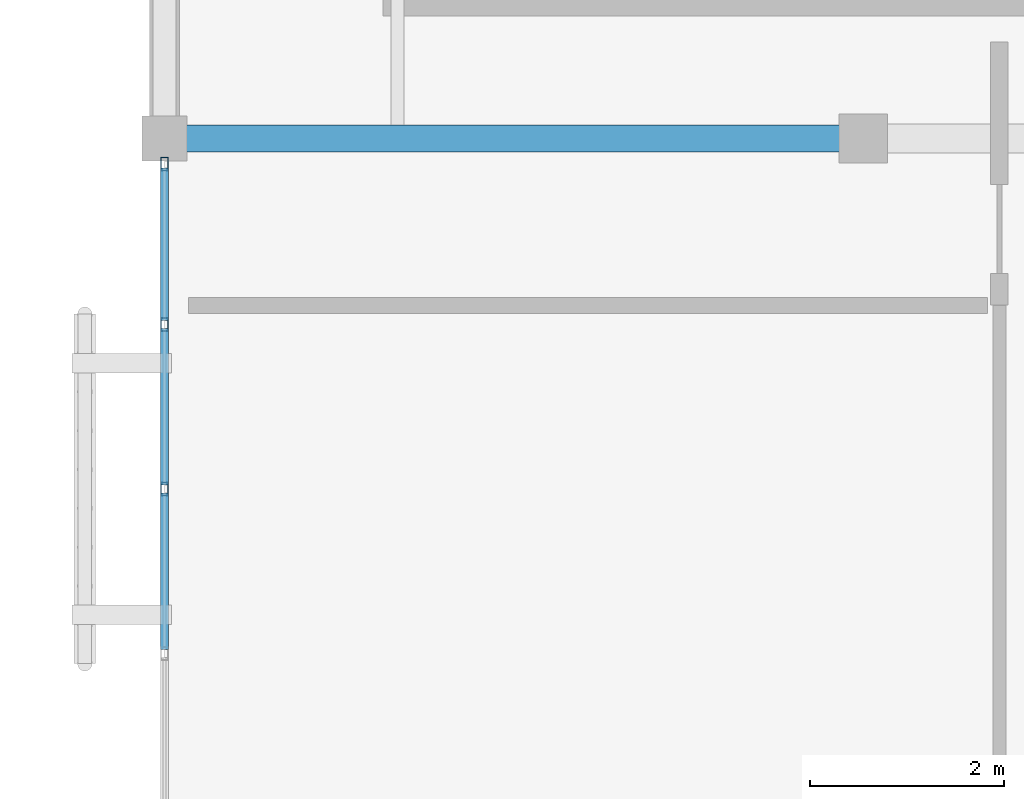
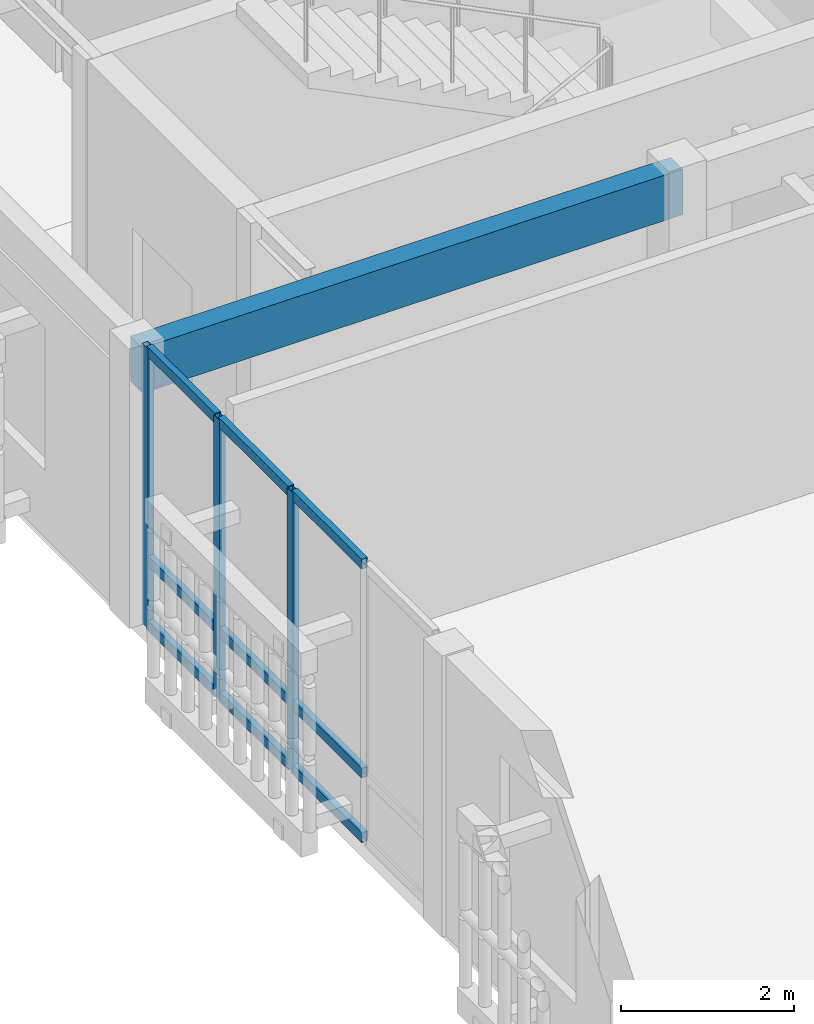
# One storey, part 46 of 112: 12 members, 1 beam, 1 element without a shape of its own.
"""IFC4 building model written with IfcOpenShell, lengths in metres."""

import ifcopenshell
import ifcopenshell.guid

model = None  # the IFC model being written
_history = None  # IfcOwnerHistory: only IFC2X3 demands one
_inside = {}  # id of a spatial element -> (the spatial element, [elements in it])
_under = {}  # id of a project, library or spatial element -> (it, [spatial elements below it])
_declared = {}  # id of a project -> (the project, [libraries it declares])
_typed = {}  # id of a type object -> (the type object, [elements of that type])
_made_of = {}  # id of a material, layer set ... -> (it, [elements and type objects made of it])


def new_model(schema):
    """Start an empty IFC model of exactly this schema.

    Asked for "IFC4X3", IfcOpenShell would pick the latest addendum, in which some entities
    have other attributes; the version numbers below select the first issue.
    IFC2X3 requires an IfcOwnerHistory on every rooted entity: one is made here for all.
    """
    global model, _history
    if schema == "IFC4X3":
        model = ifcopenshell.file(schema_version=(4, 3, 0, 0))
    else:
        model = ifcopenshell.file(schema=schema)
    _inside.clear()
    _under.clear()
    _declared.clear()
    _typed.clear()
    _made_of.clear()
    _history = None
    if model.schema == "IFC2X3":
        org = make("IfcOrganization", Name="unknown")
        user = make(
            "IfcPersonAndOrganization",
            ThePerson=make("IfcPerson", FamilyName="unknown"),
            TheOrganization=org,
        )
        app = make(
            "IfcApplication",
            ApplicationDeveloper=org,
            Version="unknown",
            ApplicationFullName="unknown",
            ApplicationIdentifier="unknown",
        )
        _history = make(
            "IfcOwnerHistory",
            OwningUser=user,
            OwningApplication=app,
            ChangeAction="ADDED",
            CreationDate=0,
        )
    return model


def make(cls, **values):
    """One entity of the class cls with the attributes given. An attribute that is None is left unset."""
    return model.create_entity(
        cls, **{name: value for name, value in values.items() if value is not None}
    )


def rooted(cls, **values):
    """An entity with a GlobalId (a new one), such as an element, a storey or a relation."""
    return make(cls, GlobalId=ifcopenshell.guid.new(), OwnerHistory=_history, **values)


def si_unit(unit_type, name, prefix=None):
    """IfcSIUnit, for example si_unit("LENGTHUNIT", "METRE", prefix="MILLI")."""
    return make("IfcSIUnit", UnitType=unit_type, Prefix=prefix, Name=name)


def assignment(units):
    """IfcUnitAssignment: the units of a project."""
    return None if units is None else make("IfcUnitAssignment", Units=units)


def point(xyz):
    """IfcCartesianPoint."""
    return None if xyz is None else make("IfcCartesianPoint", Coordinates=xyz)


def direction(xyz):
    """IfcDirection."""
    return None if xyz is None else make("IfcDirection", DirectionRatios=xyz)


def frame(location, z_axis=None, x_axis=None):
    """IfcAxis2Placement3D, a coordinate frame: its origin and axes. An axis left out is left unset."""
    return make(
        "IfcAxis2Placement3D",
        Location=point(location),
        Axis=direction(z_axis),
        RefDirection=direction(x_axis),
    )


def frame_2d(location, x_axis=None):
    """IfcAxis2Placement2D, a coordinate frame in the plane: its origin and x axis."""
    return make(
        "IfcAxis2Placement2D", Location=point(location), RefDirection=direction(x_axis)
    )


def origin():
    """The frame at (0, 0, 0) with its axes left unset."""
    return frame((0.0, 0.0, 0.0))


def origin_2d():
    """The frame at (0, 0) in the plane with its x axis left unset."""
    return frame_2d((0.0, 0.0))


def place(relative_to, where):
    """IfcLocalPlacement: puts the frame where relative to a parent placement (None: the world)."""
    return make(
        "IfcLocalPlacement", PlacementRelTo=relative_to, RelativePlacement=where
    )


def context(
    kind, dimensions, precision=None, world=None, true_north=None, identifier=None
):
    """IfcGeometricRepresentationContext, for example the 3D "Model" context."""
    return make(
        "IfcGeometricRepresentationContext",
        ContextIdentifier=identifier,
        ContextType=kind,
        CoordinateSpaceDimension=dimensions,
        Precision=precision,
        WorldCoordinateSystem=world,
        TrueNorth=true_north,
    )


def subcontext(parent, identifier, kind, view, scale=None):
    """IfcGeometricRepresentationSubContext, for example "Body" below "Model"."""
    return make(
        "IfcGeometricRepresentationSubContext",
        ContextIdentifier=identifier,
        ContextType=kind,
        ParentContext=parent,
        TargetScale=scale,
        TargetView=view,
    )


def project(units=None, contexts=None):
    """IfcProject with its units and contexts."""
    return rooted(
        "IfcProject",
        Name="project",
        RepresentationContexts=contexts,
        UnitsInContext=assignment(units),
    )


def spatial(cls, under=None, at=None, **own):
    """A site, building, storey or space (cls), placed at a placement, below another one or the project."""
    s = rooted(cls, ObjectPlacement=at, **own)
    if under is not None:
        _under.setdefault(under.id(), (under, []))[1].append(s)
    return s


def profile(cls, at=None, kind="AREA", **sizes):
    """A parametric profile (cls). Its sizes go by their IFC names, for example OverallWidth=200.0."""
    return make(cls, ProfileType=kind, Position=at, **sizes)


def rectangle(**sizes):
    """IfcRectangleProfileDef."""
    return profile("IfcRectangleProfileDef", **sizes)


def hollow_rectangle(**sizes):
    """IfcRectangleHollowProfileDef."""
    return profile("IfcRectangleHollowProfileDef", **sizes)


def extrude(swept, where, along, depth):
    """IfcExtrudedAreaSolid: the profile swept, set in the frame where, extruded along a direction by depth."""
    return make(
        "IfcExtrudedAreaSolid",
        SweptArea=swept,
        Position=where,
        ExtrudedDirection=direction(along),
        Depth=depth,
    )


def shape(context_of_items, identifier, shape_type, items):
    """IfcShapeRepresentation: the items that make up one representation, for example the "Body"."""
    return make(
        "IfcShapeRepresentation",
        ContextOfItems=context_of_items,
        RepresentationIdentifier=identifier,
        RepresentationType=shape_type,
        Items=items,
    )


def material(Name=None, Category=None):
    """IfcMaterial."""
    return make("IfcMaterial", Name=Name, Category=Category)


def layer(
    of_material, thickness, ventilated=None, Name=None, Category=None, Priority=None
):
    """IfcMaterialLayer: one layer of a wall or slab, of a material (None: an air gap)."""
    return make(
        "IfcMaterialLayer",
        Material=of_material,
        LayerThickness=thickness,
        IsVentilated=ventilated,
        Name=Name,
        Category=Category,
        Priority=Priority,
    )


def layer_set(layers, Name=None):
    """IfcMaterialLayerSet."""
    return make("IfcMaterialLayerSet", MaterialLayers=layers, LayerSetName=Name)


def material_profile(
    of_material, cross_section, Name=None, Category=None, Priority=None
):
    """IfcMaterialProfile: a cross section and its material."""
    return make(
        "IfcMaterialProfile",
        Name=Name,
        Material=of_material,
        Profile=cross_section,
        Priority=Priority,
        Category=Category,
    )


def profile_set(profiles, Name=None, composite=None):
    """IfcMaterialProfileSet."""
    return make(
        "IfcMaterialProfileSet",
        Name=Name,
        MaterialProfiles=profiles,
        CompositeProfile=composite,
    )


def made_of(thing, what):
    """Note that an element or type object is made of a material, layer set ...; save() writes the relation."""
    if what is not None:
        _made_of.setdefault(what.id(), (what, []))[1].append(thing)
    return thing


def type_object(cls, material=None, **own):
    """A type object (cls), such as IfcWallType, which elements share."""
    return made_of(rooted(cls, **own), material)


def element(
    cls,
    number,
    at=None,
    inside=None,
    cuts=None,
    type_object=None,
    material=None,
    context=None,
    identifier="Body",
    shape_type=None,
    held_by="IfcProductDefinitionShape",
    body=None,
    shapes=None,
    **own,
):
    """One element of the class cls, such as IfcWall. Its Tag is "e" and its number.

    at: its placement. inside: the storey or other place that contains it. cuts: it is an
    opening in that element (IfcRelVoidsElement). A single representation is given by context,
    identifier, shape_type and body (its items); several are given by shapes. held_by: the class
    of the entity that holds the representations. save() writes the other relations.
    """
    e = rooted(cls, Tag="e%d" % number, ObjectPlacement=at, **own)
    if body is not None:
        shapes = [shape(context, identifier, shape_type, body)]
    if shapes is not None:
        e.Representation = make(held_by, Representations=shapes)
    if inside is not None:
        _inside.setdefault(inside.id(), (inside, []))[1].append(e)
    if cuts is not None:
        rooted(
            "IfcRelVoidsElement", RelatingBuildingElement=cuts, RelatedOpeningElement=e
        )
    if type_object is not None:
        _typed.setdefault(type_object.id(), (type_object, []))[1].append(e)
    return made_of(e, material)


def aggregate(whole, parts):
    """IfcRelAggregates: a whole, such as a stair, and the parts it consists of."""
    return rooted("IfcRelAggregates", RelatingObject=whole, RelatedObjects=parts)


def save(model, path):
    """Write the relations noted so far, then the file.

    IfcRelAggregates (storeys below a building ...), IfcRelContainedInSpatialStructure (elements
    in a storey), IfcRelDefinesByType, IfcRelAssociatesMaterial and IfcRelDeclares: one each for
    every whole, place, type object, material and project.
    """
    for whole, parts in _under.values():
        aggregate(whole, parts)
    for where, things in _inside.values():
        rooted(
            "IfcRelContainedInSpatialStructure",
            RelatedElements=things,
            RelatingStructure=where,
        )
    for kind, things in _typed.values():
        rooted("IfcRelDefinesByType", RelatedObjects=things, RelatingType=kind)
    for what, things in _made_of.values():
        rooted("IfcRelAssociatesMaterial", RelatedObjects=things, RelatingMaterial=what)
    for by, libraries in _declared.values():
        rooted("IfcRelDeclares", RelatingContext=by, RelatedDefinitions=libraries)
    model.write(path)


model = new_model("IFC4")

# Units and contexts
model_context = context("Model", 3, precision=1e-05, world=origin(), true_north=direction((0.0, 1.0)))
body_context = subcontext(model_context, "Body", "Model", "MODEL_VIEW")
ifc_project = project(units=[si_unit("LENGTHUNIT", "METRE"), si_unit("AREAUNIT", "SQUARE_METRE"), si_unit("VOLUMEUNIT", "CUBIC_METRE"), si_unit("PLANEANGLEUNIT", "RADIAN"), si_unit("MASSUNIT", "GRAM", prefix="KILO")], contexts=[model_context])

# Site, building, storey
site_placement = place(None, origin())
site = spatial("IfcSite", under=ifc_project, at=site_placement, CompositionType="ELEMENT")
building_placement = place(site_placement, origin())
building = spatial("IfcBuilding", under=site, at=building_placement, Name="Mazaris Harbour Polytechnic", CompositionType="ELEMENT")
storey_placement = place(building_placement, frame((0.0, 0.0, 13.800048828125)))
storey = spatial("IfcBuildingStorey", under=building, at=storey_placement, Name="L03", CompositionType="ELEMENT", Elevation=13.800048828125)

# Curtain wall, members
ifc_material_1 = material(Name="Anodised Bronze Aluminium and Low-E Glass", Category="aluminium")
ifc_layer = layer(ifc_material_1, 0.169921875, Name="Anodised Bronze Aluminium and Low-E Glass")
ifc_layer_set = layer_set([ifc_layer], Name="Anodised Bronze Aluminium and Low-E Glass")
curtain_wall_type = type_object("IfcCurtainWallType", Name="Studio North-Light Curtain Wall", PredefinedType="NOTDEFINED", material=ifc_layer_set)
curtain_wall_placement = place(storey_placement, origin())
curtain_wall = element("IfcCurtainWall", 1, at=curtain_wall_placement, inside=storey, type_object=curtain_wall_type, Name="V5 L03 Curtain Wall 254", PredefinedType="NOTDEFINED")
ifc_material_2 = material(Name="Anodised Bronze Steel S355", Category="steel")
ifc_material_profile_1 = material_profile(ifc_material_2, hollow_rectangle(XDim=0.080078125, YDim=0.139892578125, WallThickness=0.00634765625, at=origin_2d()), Name="RHS 80x140x6.3")
ifc_profile_set_1 = profile_set([ifc_material_profile_1], Name="Anodised Bronze Steel S355")
member_type_1 = type_object("IfcMemberType", Name="Curtain Mullion RHS80x140", PredefinedType="MULLION", material=ifc_profile_set_1)
member_1_placement = place(storey_placement, frame((122.39990234375, 64.7900390625, 0.0), z_axis=(0.0, 0.0, 1.0), x_axis=(-1.0, 0.0, 0.0)))
member_1 = element("IfcMember", 2, at=member_1_placement, type_object=member_type_1, Name="CW-03 mullion 3", PredefinedType="MULLION", context=body_context, shape_type="SweptSolid", body=[
    extrude(hollow_rectangle(XDim=0.080078125, YDim=0.139892578125, WallThickness=0.00634765625, at=origin_2d()), origin(), (0.0, 0.0, 1.0), 3.93505859375),
])
member_2_placement = place(storey_placement, frame((122.39990234375, 66.48388671875, 0.0), z_axis=(0.0, 0.0, 1.0), x_axis=(-1.0, 0.0, 0.0)))
member_2 = element("IfcMember", 3, at=member_2_placement, type_object=member_type_1, Name="CW-03 mullion 4", PredefinedType="MULLION", context=body_context, shape_type="SweptSolid", body=[
    extrude(hollow_rectangle(XDim=0.080078125, YDim=0.139892578125, WallThickness=0.00634765625, at=origin_2d()), origin(), (0.0, 0.0, 1.0), 3.93505859375),
])
member_3_placement = place(storey_placement, frame((122.39990234375, 68.137939453125, 0.0), z_axis=(0.0, 0.0, 1.0), x_axis=(-1.0, 0.0, 0.0)))
member_3 = element("IfcMember", 4, at=member_3_placement, type_object=member_type_1, Name="CW-03 mullion 5", PredefinedType="MULLION", context=body_context, shape_type="SweptSolid", body=[
    extrude(hollow_rectangle(XDim=0.080078125, YDim=0.139892578125, WallThickness=0.00634765625, at=origin_2d()), origin(), (0.0, 0.0, 1.0), 3.93505859375),
])
ifc_material_3 = material(Name="Anodised Bronze Steel S355", Category="steel")
ifc_material_profile_2 = material_profile(ifc_material_3, hollow_rectangle(XDim=0.080078125, YDim=0.139892578125, WallThickness=0.00634765625, at=origin_2d()), Name="RHS 80x140x6.3")
ifc_profile_set_2 = profile_set([ifc_material_profile_2], Name="Anodised Bronze Steel S355")
member_type_2 = type_object("IfcMemberType", Name="Curtain Transom RHS80x140", PredefinedType="USERDEFINED", material=ifc_profile_set_2)
member_4_placement = place(storey_placement, frame((122.39990234375, 63.135986328125, 0.0400390625), z_axis=(0.0, 1.0, 0.0), x_axis=(-1.0, 0.0, 0.0)))
member_4 = element("IfcMember", 5, at=member_4_placement, type_object=member_type_2, Name="CW-03 transom 2.1", ObjectType="TRANSOM", PredefinedType="USERDEFINED", context=body_context, shape_type="SweptSolid", body=[
    extrude(hollow_rectangle(XDim=0.080078125, YDim=0.139892578125, WallThickness=0.00634765625, at=origin_2d()), origin(), (0.0, 0.0, 1.0), 1.614013671875),
])
member_5_placement = place(storey_placement, frame((122.39990234375, 63.135986328125, 0.949951171875), z_axis=(0.0, 1.0, 0.0), x_axis=(-1.0, 0.0, 0.0)))
member_5 = element("IfcMember", 6, at=member_5_placement, type_object=member_type_2, Name="CW-03 transom 2.2", ObjectType="TRANSOM", PredefinedType="USERDEFINED", context=body_context, shape_type="SweptSolid", body=[
    extrude(hollow_rectangle(XDim=0.080078125, YDim=0.139892578125, WallThickness=0.00634765625, at=origin_2d()), origin(), (0.0, 0.0, 1.0), 1.614013671875),
])
member_6_placement = place(storey_placement, frame((122.39990234375, 63.135986328125, 3.89501953125), z_axis=(0.0, 1.0, 0.0), x_axis=(-1.0, 0.0, 0.0)))
member_6 = element("IfcMember", 7, at=member_6_placement, type_object=member_type_2, Name="CW-03 transom 2.3", ObjectType="TRANSOM", PredefinedType="USERDEFINED", context=body_context, shape_type="SweptSolid", body=[
    extrude(hollow_rectangle(XDim=0.080078125, YDim=0.139892578125, WallThickness=0.00634765625, at=origin_2d()), origin(), (0.0, 0.0, 1.0), 1.614013671875),
])
member_7_placement = place(storey_placement, frame((122.39990234375, 64.830078125, 0.0400390625), z_axis=(0.0, 1.0, 0.0), x_axis=(-1.0, 0.0, 0.0)))
member_7 = element("IfcMember", 8, at=member_7_placement, type_object=member_type_2, Name="CW-03 transom 3.1", ObjectType="TRANSOM", PredefinedType="USERDEFINED", context=body_context, shape_type="SweptSolid", body=[
    extrude(hollow_rectangle(XDim=0.080078125, YDim=0.139892578125, WallThickness=0.00634765625, at=origin_2d()), origin(), (0.0, 0.0, 1.0), 1.614013671875),
])
member_8_placement = place(storey_placement, frame((122.39990234375, 64.830078125, 0.949951171875), z_axis=(0.0, 1.0, 0.0), x_axis=(-1.0, 0.0, 0.0)))
member_8 = element("IfcMember", 9, at=member_8_placement, type_object=member_type_2, Name="CW-03 transom 3.2", ObjectType="TRANSOM", PredefinedType="USERDEFINED", context=body_context, shape_type="SweptSolid", body=[
    extrude(hollow_rectangle(XDim=0.080078125, YDim=0.139892578125, WallThickness=0.00634765625, at=origin_2d()), origin(), (0.0, 0.0, 1.0), 1.614013671875),
])
member_9_placement = place(storey_placement, frame((122.39990234375, 64.830078125, 3.89501953125), z_axis=(0.0, 1.0, 0.0), x_axis=(-1.0, 0.0, 0.0)))
member_9 = element("IfcMember", 10, at=member_9_placement, type_object=member_type_2, Name="CW-03 transom 3.3", ObjectType="TRANSOM", PredefinedType="USERDEFINED", context=body_context, shape_type="SweptSolid", body=[
    extrude(hollow_rectangle(XDim=0.080078125, YDim=0.139892578125, WallThickness=0.00634765625, at=origin_2d()), origin(), (0.0, 0.0, 1.0), 1.614013671875),
])
member_10_placement = place(storey_placement, frame((122.39990234375, 66.52392578125, 0.0400390625), z_axis=(0.0, 1.0, 0.0), x_axis=(-1.0, 0.0, 0.0)))
member_10 = element("IfcMember", 11, at=member_10_placement, type_object=member_type_2, Name="CW-03 transom 4.1", ObjectType="TRANSOM", PredefinedType="USERDEFINED", context=body_context, shape_type="SweptSolid", body=[
    extrude(hollow_rectangle(XDim=0.080078125, YDim=0.139892578125, WallThickness=0.00634765625, at=origin_2d()), origin(), (0.0, 0.0, 1.0), 1.573974609375),
])
member_11_placement = place(storey_placement, frame((122.39990234375, 66.52392578125, 0.949951171875), z_axis=(0.0, 1.0, 0.0), x_axis=(-1.0, 0.0, 0.0)))
member_11 = element("IfcMember", 12, at=member_11_placement, type_object=member_type_2, Name="CW-03 transom 4.2", ObjectType="TRANSOM", PredefinedType="USERDEFINED", context=body_context, shape_type="SweptSolid", body=[
    extrude(hollow_rectangle(XDim=0.080078125, YDim=0.139892578125, WallThickness=0.00634765625, at=origin_2d()), origin(), (0.0, 0.0, 1.0), 1.573974609375),
])
member_12_placement = place(storey_placement, frame((122.39990234375, 66.52392578125, 3.89501953125), z_axis=(0.0, 1.0, 0.0), x_axis=(-1.0, 0.0, 0.0)))
member_12 = element("IfcMember", 13, at=member_12_placement, type_object=member_type_2, Name="CW-03 transom 4.3", ObjectType="TRANSOM", PredefinedType="USERDEFINED", context=body_context, shape_type="SweptSolid", body=[
    extrude(hollow_rectangle(XDim=0.080078125, YDim=0.139892578125, WallThickness=0.00634765625, at=origin_2d()), origin(), (0.0, 0.0, 1.0), 1.573974609375),
])
aggregate(curtain_wall, [member_1, member_2, member_3, member_4, member_5, member_6, member_7, member_8, member_9, member_10, member_11, member_12])

# Beam
ifc_material_4 = material(Name="Glulam GL32h", Category="wood")
ifc_material_profile_3 = material_profile(ifc_material_4, rectangle(XDim=0.280029296875, YDim=0.639892578125, at=origin_2d()), Name="RECT280x640")
ifc_profile_set_3 = profile_set([ifc_material_profile_3], Name="Glulam GL32h")
beam_type = type_object("IfcBeamType", Name="Glulam Girder 280x640 Exterior", PredefinedType="BEAM", material=ifc_profile_set_3)
beam_placement = place(storey_placement, frame((122.39990234375, 68.39990234375, 3.5), z_axis=(1.0, 0.0, 0.0), x_axis=(0.0, 1.0, 0.0)))
element("IfcBeam", 14, at=beam_placement, inside=storey, type_object=beam_type, Name="V5 L03 Girder 3297", PredefinedType="BEAM", context=body_context, shape_type="SweptSolid", body=[
    extrude(rectangle(XDim=0.280029296875, YDim=0.639892578125, at=origin_2d()), origin(), (0.0, 0.0, 1.0), 7.2001953125),
])

save(model, "model.ifc")
